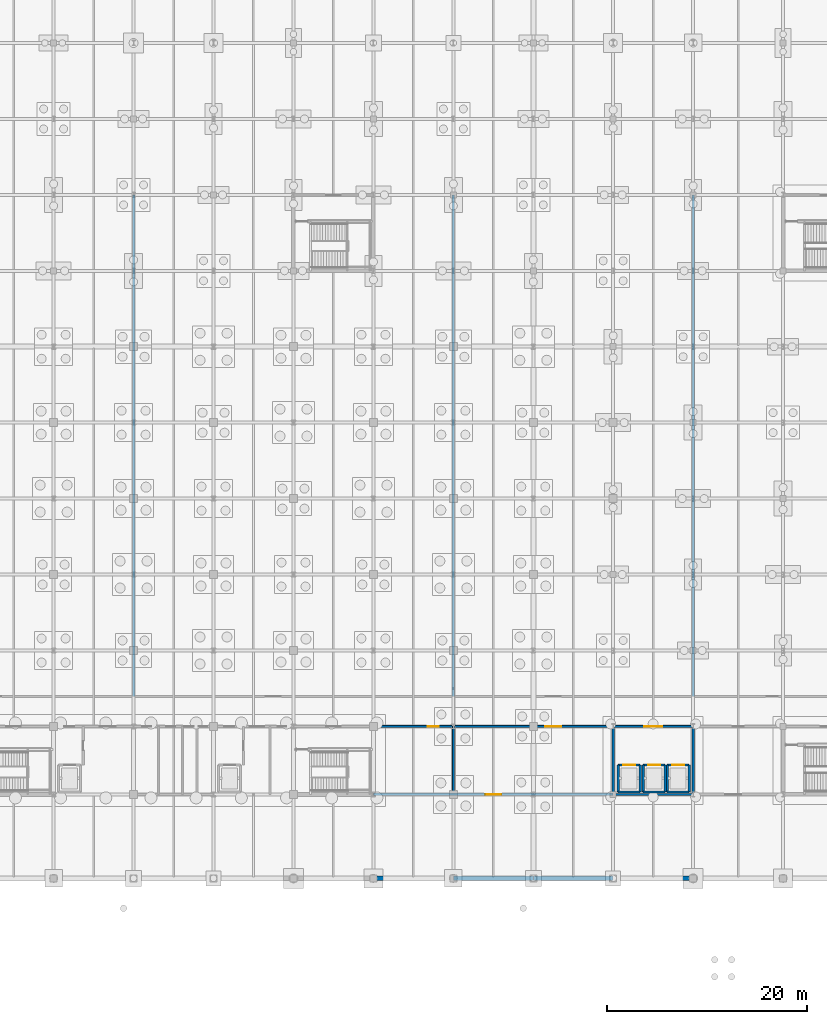
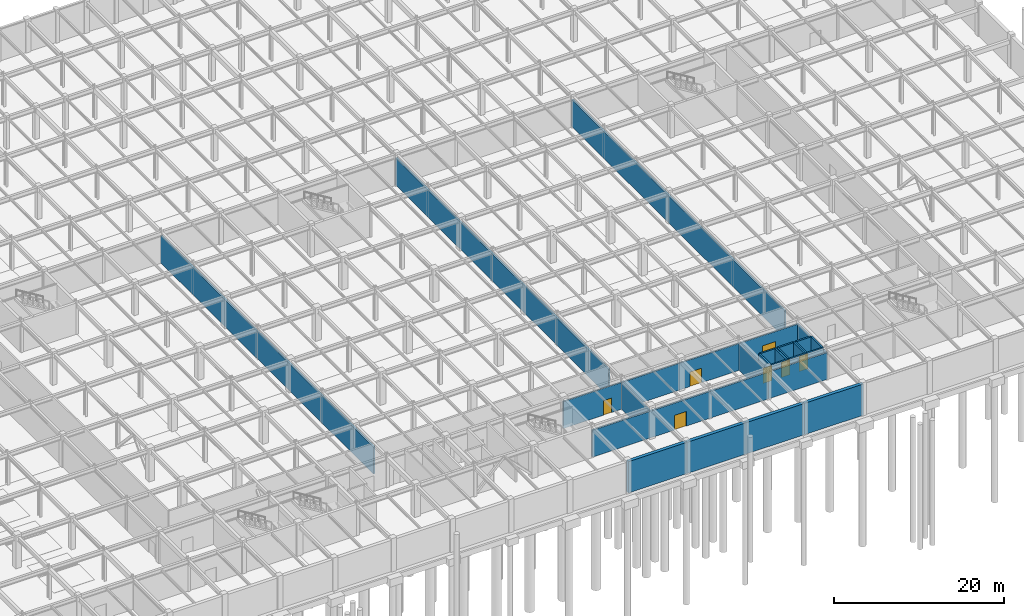
# One storey, part 42 of 53: 26 walls, 7 doors, 7 openings.
"""IFC4 building model written with IfcOpenShell, lengths in metres."""

from ifc_helpers import new_model, si_unit, direction, frame, frame_2d, origin, place, context, subcontext, project, spatial, rectangle, extrude, material, layer, layer_set, type_object, element, fill, save


model = new_model("IFC4")

# Units and contexts
model_context = context("Model", 3, precision=1e-05, world=origin(), true_north=direction((0.0, 1.0)))
body_context = subcontext(model_context, "Body", "Model", "MODEL_VIEW")
ifc_project = project(units=[si_unit("LENGTHUNIT", "METRE"), si_unit("AREAUNIT", "SQUARE_METRE"), si_unit("VOLUMEUNIT", "CUBIC_METRE"), si_unit("PLANEANGLEUNIT", "RADIAN"), si_unit("MASSUNIT", "GRAM", prefix="KILO")], contexts=[model_context])

# Site, building, storey
site_placement = place(None, origin())
site = spatial("IfcSite", under=ifc_project, at=site_placement, CompositionType="ELEMENT")
building_placement = place(site_placement, origin())
building = spatial("IfcBuilding", under=site, at=building_placement, Name="Shalkamar Park Central Library", CompositionType="ELEMENT")
storey_placement = place(building_placement, frame((0.0, 0.0, -4.800048828125)))
storey = spatial("IfcBuildingStorey", under=building, at=storey_placement, Name="B1", CompositionType="ELEMENT", Elevation=-4.800048828125)

# Walls
ifc_material_1 = material(Name="Concrete C40/50", Category="concrete")
ifc_layer_1 = layer(ifc_material_1, 0.449951171875)
ifc_layer_set_1 = layer_set([ifc_layer_1], Name="Concrete C40/50")
wall_type_1 = type_object("IfcWallType", Name="Basement Retaining Shear Wall 450", PredefinedType="SHEAR", material=ifc_layer_set_1)
for number, where, z_axis, x_axis, name in (
    (1, (205.0, 240.0, 0.0), (0.0, 0.0, 1.0), (1.0, 0.0, 0.0), "Basement Retaining Wall S-12"),
    (2, (213.0, 240.0, 0.0), (0.0, 0.0, 1.0), (1.0, 0.0, 0.0), "Basement Retaining Wall S-13"),
    (3, (221.0, 240.0, 0.0), (0.0, 0.0, 1.0), (1.0, 0.0, 0.0), "Basement Retaining Wall S-14"),
    (4, (229.0, 240.0, 0.0), (0.0, 0.0, 1.0), (1.0, 0.0, 0.0), "Basement Retaining Wall S-15"),
):
    element("IfcWall", number, at=place(storey_placement, frame(where, z_axis=z_axis, x_axis=x_axis)), inside=storey, type_object=wall_type_1, Name=name, PredefinedType="SHEAR", context=body_context, shape_type="SweptSolid", body=[
        extrude(rectangle(XDim=8.0, YDim=0.449951171875, at=frame_2d((4.0, 0.0))), origin(), (0.0, 0.0, 1.0), 4.510009765625),
    ])

# Wall, opening, door
ifc_material_2 = material(Name="Reinforced fire-compartment masonry wall", Category="masonry")
ifc_layer_2 = layer(ifc_material_2, 0.239990234375)
ifc_layer_set_2 = layer_set([ifc_layer_2], Name="CompartmentWall_240")
wall_type_2 = type_object("IfcWallType", Name="Compartment Wall 240", PredefinedType="PARTITIONING", material=ifc_layer_set_2)
wall_1_placement = place(storey_placement, frame((205.0, 248.39990234375, 0.0), z_axis=(0.0, 0.0, 1.0), x_axis=(1.0, 0.0, 0.0)))
wall_1 = element("IfcWall", 5, at=wall_1_placement, inside=storey, type_object=wall_type_2, Name="Interior Partition WL-INT-B1-020", PredefinedType="PARTITIONING", context=body_context, shape_type="SweptSolid", body=[
    extrude(rectangle(XDim=24.0, YDim=0.239990234375, at=frame_2d((12.0, 0.0))), origin(), (0.0, 0.0, 1.0), 3.858154296875),
])
opening_1_placement = place(wall_1_placement, frame((11.199951171875, 0.0, 0.0)))
opening_1 = element("IfcOpeningElement", 6, at=opening_1_placement, cuts=wall_1, Name="Opening DR-B1-017", PredefinedType="OPENING", context=body_context, shape_type="SweptSolid", body=[
    extrude(rectangle(XDim=1.60009765625, YDim=2.10009765625, at=frame_2d((0.800048828125, 1.050048828125))), frame((0.0, 0.134765625, 0.0), z_axis=(0.0, -1.0, 0.0), x_axis=(1.0, 0.0, 0.0)), (0.0, 0.0, 1.0), 0.269775390625),
])
ifc_material_3 = material(Name="Steel S355", Category="steel")
door_type_1 = type_object("IfcDoorType", Name="Fire Door Double 1600x2100", OperationType="DOUBLE_DOOR_SINGLE_SWING", PredefinedType="DOOR", material=ifc_material_3)
door_1_placement = place(opening_1_placement, frame((1.60009765625, 0.0, 0.0), z_axis=(0.0, 0.0, 1.0), x_axis=(-1.0, 0.0, 0.0)))
door_1 = element("IfcDoor", 7, at=door_1_placement, inside=storey, type_object=door_type_1, Name="Chiller Plant Door", OperationType="DOUBLE_DOOR_SINGLE_SWING", OverallHeight=2.10009765625, OverallWidth=1.60009765625, PredefinedType="DOOR", context=body_context, shape_type="SweptSolid", body=[
    extrude(rectangle(XDim=1.60009765625, YDim=2.10009765625, at=frame_2d((0.800048828125, 1.050048828125))), frame((0.0, 0.02490234375, 0.0), z_axis=(0.0, -1.0, 0.0), x_axis=(1.0, 0.0, 0.0)), (0.0, 0.0, 1.0), 0.050048828125),
])
fill(opening_1, door_1)

# Walls
for number, where, z_axis, x_axis, name in (
    (8, (181.0, 258.199951171875, 0.0), (0.0, 0.0, 1.0), (0.0, 1.0, 0.0), "Interior Partition WL-INT-B1-031"),
    (9, (213.0, 258.199951171875, 0.0), (0.0, 0.0, 1.0), (0.0, 1.0, 0.0), "Interior Partition WL-INT-B1-032"),
    (10, (237.0, 258.199951171875, 0.0), (0.0, 0.0, 1.0), (0.0, 1.0, 0.0), "Interior Partition WL-INT-B1-033"),
):
    element("IfcWall", number, at=place(storey_placement, frame(where, z_axis=z_axis, x_axis=x_axis)), inside=storey, type_object=wall_type_2, Name=name, PredefinedType="PARTITIONING", context=body_context, shape_type="SweptSolid", body=[
        extrude(rectangle(XDim=50.199951171875, YDim=0.239990234375, at=frame_2d((25.10009765625, 0.0))), origin(), (0.0, 0.0, 1.0), 3.907958984375),
    ])

# Wall, opening, door
ifc_material_4 = material(Name="Fire-rated corridor partition wall", Category="masonry")
ifc_layer_3 = layer(ifc_material_4, 0.199951171875)
ifc_layer_set_3 = layer_set([ifc_layer_3], Name="CorridorFireWall_200")
wall_type_3 = type_object("IfcWallType", Name="Corridor Fire Wall 200", PredefinedType="PARTITIONING", material=ifc_layer_set_3)
wall_2_placement = place(storey_placement, frame((229.0, 255.199951171875, 0.0), z_axis=(0.0, 0.0, 1.0), x_axis=(1.0, 0.0, 0.0)))
wall_2 = element("IfcWall", 11, at=wall_2_placement, inside=storey, type_object=wall_type_3, Name="Interior Partition WL-INT-B1-014", PredefinedType="PARTITIONING", context=body_context, shape_type="SweptSolid", body=[
    extrude(rectangle(XDim=8.0, YDim=0.199951171875, at=frame_2d((4.0, 0.0))), origin(), (0.0, 0.0, 1.0), 3.858154296875),
])
opening_2_placement = place(wall_2_placement, frame((3.10009765625, 0.0, 0.0)))
opening_2 = element("IfcOpeningElement", 12, at=opening_2_placement, cuts=wall_2, Name="Opening DR-B1-012", PredefinedType="OPENING", context=body_context, shape_type="SweptSolid", body=[
    extrude(rectangle(XDim=1.800048828125, YDim=2.39990234375, at=frame_2d((0.89990234375, 1.199951171875))), frame((0.0, 0.11474609375, 0.0), z_axis=(0.0, -1.0, 0.0), x_axis=(1.0, 0.0, 0.0)), (0.0, 0.0, 1.0), 0.229736328125),
])
door_type_2 = type_object("IfcDoorType", Name="Interior Door Double 1800x2400", OperationType="DOUBLE_DOOR_SINGLE_SWING", PredefinedType="DOOR", material=ifc_material_3)
door_2_placement = place(opening_2_placement, origin())
door_2 = element("IfcDoor", 13, at=door_2_placement, inside=storey, type_object=door_type_2, Name="Podium Lift Lobby Entrance", OperationType="DOUBLE_DOOR_SINGLE_SWING", OverallHeight=2.39990234375, OverallWidth=1.800048828125, PredefinedType="DOOR", context=body_context, shape_type="SweptSolid", body=[
    extrude(rectangle(XDim=1.800048828125, YDim=2.39990234375, at=frame_2d((0.89990234375, 1.199951171875))), frame((0.0, 0.02490234375, 0.0), z_axis=(0.0, -1.0, 0.0), x_axis=(1.0, 0.0, 0.0)), (0.0, 0.0, 1.0), 0.050048828125),
])
fill(opening_2, door_2)

# Wall, openings, doors
wall_3_placement = place(storey_placement, frame((205.0, 255.199951171875, 0.0), z_axis=(0.0, 0.0, 1.0), x_axis=(1.0, 0.0, 0.0)))
wall_3 = element("IfcWall", 14, at=wall_3_placement, inside=storey, type_object=wall_type_3, Name="Interior Partition WL-INT-B1-024", PredefinedType="PARTITIONING", context=body_context, shape_type="SweptSolid", body=[
    extrude(rectangle(XDim=24.0, YDim=0.199951171875, at=frame_2d((12.0, 0.0))), origin(), (0.0, 0.0, 1.0), 3.858154296875),
])
opening_3_placement = place(wall_3_placement, frame((5.449951171875, 0.0, 0.0)))
opening_3 = element("IfcOpeningElement", 15, at=opening_3_placement, cuts=wall_3, Name="Opening DR-B1-021", PredefinedType="OPENING", context=body_context, shape_type="SweptSolid", body=[
    extrude(rectangle(XDim=1.10009765625, YDim=2.10009765625, at=frame_2d((0.550048828125, 1.050048828125))), frame((0.0, 0.11474609375, 0.0), z_axis=(0.0, -1.0, 0.0), x_axis=(1.0, 0.0, 0.0)), (0.0, 0.0, 1.0), 0.229736328125),
])
opening_4_placement = place(wall_3_placement, frame((17.199951171875, 0.0, 0.0)))
opening_4 = element("IfcOpeningElement", 16, at=opening_4_placement, cuts=wall_3, Name="Opening DR-B1-022", PredefinedType="OPENING", context=body_context, shape_type="SweptSolid", body=[
    extrude(rectangle(XDim=1.60009765625, YDim=2.10009765625, at=frame_2d((0.800048828125, 1.050048828125))), frame((0.0, 0.11474609375, 0.0), z_axis=(0.0, -1.0, 0.0), x_axis=(1.0, 0.0, 0.0)), (0.0, 0.0, 1.0), 0.229736328125),
])
door_3_placement = place(opening_4_placement, frame((1.60009765625, 0.0, 0.0), z_axis=(0.0, 0.0, 1.0), x_axis=(-1.0, 0.0, 0.0)))
door_3 = element("IfcDoor", 17, at=door_3_placement, inside=storey, type_object=door_type_1, Name="Book Sorting Hall Door", OperationType="DOUBLE_DOOR_SINGLE_SWING", OverallHeight=2.10009765625, OverallWidth=1.60009765625, PredefinedType="DOOR", context=body_context, shape_type="SweptSolid", body=[
    extrude(rectangle(XDim=1.60009765625, YDim=2.10009765625, at=frame_2d((0.800048828125, 1.050048828125))), frame((0.0, 0.02490234375, 0.0), z_axis=(0.0, -1.0, 0.0), x_axis=(1.0, 0.0, 0.0)), (0.0, 0.0, 1.0), 0.050048828125),
])
fill(opening_4, door_3)
door_type_3 = type_object("IfcDoorType", Name="Fire Door Single 1100x2100", OperationType="NOTDEFINED", PredefinedType="DOOR", material=ifc_material_3)
door_4_placement = place(opening_3_placement, frame((1.10009765625, 0.0, 0.0), z_axis=(0.0, 0.0, 1.0), x_axis=(-1.0, 0.0, 0.0)))
door_4 = element("IfcDoor", 18, at=door_4_placement, inside=storey, type_object=door_type_3, Name="Book Quarantine Room Door", OperationType="SINGLE_SWING_RIGHT", OverallHeight=2.10009765625, OverallWidth=1.10009765625, PredefinedType="DOOR", context=body_context, shape_type="SweptSolid", body=[
    extrude(rectangle(XDim=1.10009765625, YDim=2.10009765625, at=frame_2d((0.550048828125, 1.050048828125))), frame((0.0, 0.02490234375, 0.0), z_axis=(0.0, -1.0, 0.0), x_axis=(1.0, 0.0, 0.0)), (0.0, 0.0, 1.0), 0.050048828125),
])
fill(opening_3, door_4)

# Walls
wall_4_placement = place(storey_placement, frame((213.0, 248.39990234375, 0.0), z_axis=(0.0, 0.0, 1.0), x_axis=(0.0, 1.0, 0.0)))
element("IfcWall", 19, at=wall_4_placement, inside=storey, type_object=wall_type_3, Name="Interior Partition WL-INT-B1-025", PredefinedType="PARTITIONING", context=body_context, shape_type="SweptSolid", body=[
    extrude(rectangle(XDim=6.800048828125, YDim=0.199951171875, at=frame_2d((3.39990234375, 0.0))), origin(), (0.0, 0.0, 1.0), 3.80810546875),
])
ifc_layer_4 = layer(ifc_material_1, 0.219970703125)
ifc_layer_set_4 = layer_set([ifc_layer_4], Name="Concrete C40/50")
wall_type_4 = type_object("IfcWallType", Name="Lift Hoistway Shear Wall 220", PredefinedType="SHEAR", material=ifc_layer_set_4)
wall_5_placement = place(storey_placement, frame((229.5, 248.64990234375, 0.0), z_axis=(0.0, 0.0, 1.0), x_axis=(1.0, 0.0, 0.0)))
element("IfcWall", 20, at=wall_5_placement, inside=storey, type_object=wall_type_4, Name="Lift LP-01 Hoistway South Wall (B1)", PredefinedType="SHEAR", context=body_context, shape_type="SweptSolid", body=[
    extrude(rectangle(XDim=2.199951171875, YDim=0.219970703125, at=frame_2d((1.10009765625, 0.0))), origin(), (0.0, 0.0, 1.0), 4.510009765625),
])
for number, where, z_axis, x_axis, name in (
    (21, (229.5, 248.64990234375, 0.0), (0.0, 0.0, 1.0), (0.0, 1.0, 0.0), "Lift LP-01 Hoistway West Wall (B1)"),
    (22, (231.699951171875, 248.64990234375, 0.0), (0.0, 0.0, 1.0), (0.0, 1.0, 0.0), "Lift LP-01 Hoistway East Wall (B1)"),
):
    element("IfcWall", number, at=place(storey_placement, frame(where, z_axis=z_axis, x_axis=x_axis)), inside=storey, type_object=wall_type_4, Name=name, PredefinedType="SHEAR", context=body_context, shape_type="SweptSolid", body=[
        extrude(rectangle(XDim=2.7001953125, YDim=0.219970703125, at=frame_2d((1.35009765625, 0.0))), origin(), (0.0, 0.0, 1.0), 4.510009765625),
    ])

# Wall, opening, door
wall_6_placement = place(storey_placement, frame((229.5, 251.35009765625, 0.0), z_axis=(0.0, 0.0, 1.0), x_axis=(1.0, 0.0, 0.0)))
wall_6 = element("IfcWall", 23, at=wall_6_placement, inside=storey, type_object=wall_type_4, Name="Lift LP-01 Hoistway Front Wall (B1)", PredefinedType="SHEAR", context=body_context, shape_type="SweptSolid", body=[
    extrude(rectangle(XDim=2.199951171875, YDim=0.219970703125, at=frame_2d((1.10009765625, 0.0))), origin(), (0.0, 0.0, 1.0), 4.510009765625),
])
opening_5_placement = place(wall_6_placement, frame((0.5, 0.0, 0.0)))
opening_5 = element("IfcOpeningElement", 24, at=opening_5_placement, cuts=wall_6, Name="Opening LD-LP-01-B1", PredefinedType="OPENING", context=body_context, shape_type="SweptSolid", body=[
    extrude(rectangle(XDim=1.199951171875, YDim=2.199951171875, at=frame_2d((0.60009765625, 1.10009765625))), frame((0.0, 0.125, 0.0), z_axis=(0.0, -1.0, 0.0), x_axis=(1.0, 0.0, 0.0)), (0.0, 0.0, 1.0), 0.249755859375),
])
door_type_4 = type_object("IfcDoorType", Name="Podium Lift Landing Door 1200x2200", OperationType="DOUBLE_DOOR_SLIDING", PredefinedType="USERDEFINED", material=ifc_material_3)
door_5_placement = place(opening_5_placement, origin())
door_5 = element("IfcDoor", 25, at=door_5_placement, inside=storey, type_object=door_type_4, Name="Lift LP-01 Sliding Landing Door (B1)", ObjectType="SLIDING LANDING DOOR", OperationType="DOUBLE_DOOR_SLIDING", OverallHeight=2.199951171875, OverallWidth=1.199951171875, PredefinedType="USERDEFINED", context=body_context, shape_type="SweptSolid", body=[
    extrude(rectangle(XDim=1.199951171875, YDim=2.199951171875, at=frame_2d((0.60009765625, 1.10009765625))), frame((0.0, 0.02490234375, 0.0), z_axis=(0.0, -1.0, 0.0), x_axis=(1.0, 0.0, 0.0)), (0.0, 0.0, 1.0), 0.050048828125),
])
fill(opening_5, door_5)

# Walls
wall_7_placement = place(storey_placement, frame((232.0, 248.64990234375, 0.0), z_axis=(0.0, 0.0, 1.0), x_axis=(1.0, 0.0, 0.0)))
element("IfcWall", 26, at=wall_7_placement, inside=storey, type_object=wall_type_4, Name="Lift LP-02 Hoistway South Wall (B1)", PredefinedType="SHEAR", context=body_context, shape_type="SweptSolid", body=[
    extrude(rectangle(XDim=2.199951171875, YDim=0.219970703125, at=frame_2d((1.10009765625, 0.0))), origin(), (0.0, 0.0, 1.0), 4.510009765625),
])
for number, where, z_axis, x_axis, name in (
    (27, (232.0, 248.64990234375, 0.0), (0.0, 0.0, 1.0), (0.0, 1.0, 0.0), "Lift LP-02 Hoistway West Wall (B1)"),
    (28, (234.199951171875, 248.64990234375, 0.0), (0.0, 0.0, 1.0), (0.0, 1.0, 0.0), "Lift LP-02 Hoistway East Wall (B1)"),
):
    element("IfcWall", number, at=place(storey_placement, frame(where, z_axis=z_axis, x_axis=x_axis)), inside=storey, type_object=wall_type_4, Name=name, PredefinedType="SHEAR", context=body_context, shape_type="SweptSolid", body=[
        extrude(rectangle(XDim=2.7001953125, YDim=0.219970703125, at=frame_2d((1.35009765625, 0.0))), origin(), (0.0, 0.0, 1.0), 4.510009765625),
    ])

# Wall, opening, door
wall_8_placement = place(storey_placement, frame((232.0, 251.35009765625, 0.0), z_axis=(0.0, 0.0, 1.0), x_axis=(1.0, 0.0, 0.0)))
wall_8 = element("IfcWall", 29, at=wall_8_placement, inside=storey, type_object=wall_type_4, Name="Lift LP-02 Hoistway Front Wall (B1)", PredefinedType="SHEAR", context=body_context, shape_type="SweptSolid", body=[
    extrude(rectangle(XDim=2.199951171875, YDim=0.219970703125, at=frame_2d((1.10009765625, 0.0))), origin(), (0.0, 0.0, 1.0), 4.510009765625),
])
opening_6_placement = place(wall_8_placement, frame((0.5, 0.0, 0.0)))
opening_6 = element("IfcOpeningElement", 30, at=opening_6_placement, cuts=wall_8, Name="Opening LD-LP-02-B1", PredefinedType="OPENING", context=body_context, shape_type="SweptSolid", body=[
    extrude(rectangle(XDim=1.199951171875, YDim=2.199951171875, at=frame_2d((0.60009765625, 1.10009765625))), frame((0.0, 0.125, 0.0), z_axis=(0.0, -1.0, 0.0), x_axis=(1.0, 0.0, 0.0)), (0.0, 0.0, 1.0), 0.249755859375),
])
door_6_placement = place(opening_6_placement, origin())
door_6 = element("IfcDoor", 31, at=door_6_placement, inside=storey, type_object=door_type_4, Name="Lift LP-02 Sliding Landing Door (B1)", ObjectType="SLIDING LANDING DOOR", OperationType="DOUBLE_DOOR_SLIDING", OverallHeight=2.199951171875, OverallWidth=1.199951171875, PredefinedType="USERDEFINED", context=body_context, shape_type="SweptSolid", body=[
    extrude(rectangle(XDim=1.199951171875, YDim=2.199951171875, at=frame_2d((0.60009765625, 1.10009765625))), frame((0.0, 0.02490234375, 0.0), z_axis=(0.0, -1.0, 0.0), x_axis=(1.0, 0.0, 0.0)), (0.0, 0.0, 1.0), 0.050048828125),
])
fill(opening_6, door_6)

# Walls
wall_9_placement = place(storey_placement, frame((234.39990234375, 248.64990234375, 0.0), z_axis=(0.0, 0.0, 1.0), x_axis=(1.0, 0.0, 0.0)))
element("IfcWall", 32, at=wall_9_placement, inside=storey, type_object=wall_type_4, Name="Lift LP-03 Hoistway South Wall (B1)", PredefinedType="SHEAR", context=body_context, shape_type="SweptSolid", body=[
    extrude(rectangle(XDim=2.2001953125, YDim=0.219970703125, at=frame_2d((1.10009765625, 0.0))), origin(), (0.0, 0.0, 1.0), 4.510009765625),
])
for number, where, z_axis, x_axis, name in (
    (33, (234.39990234375, 248.64990234375, 0.0), (0.0, 0.0, 1.0), (0.0, 1.0, 0.0), "Lift LP-03 Hoistway West Wall (B1)"),
    (34, (236.60009765625, 248.64990234375, 0.0), (0.0, 0.0, 1.0), (0.0, 1.0, 0.0), "Lift LP-03 Hoistway East Wall (B1)"),
):
    element("IfcWall", number, at=place(storey_placement, frame(where, z_axis=z_axis, x_axis=x_axis)), inside=storey, type_object=wall_type_4, Name=name, PredefinedType="SHEAR", context=body_context, shape_type="SweptSolid", body=[
        extrude(rectangle(XDim=2.7001953125, YDim=0.219970703125, at=frame_2d((1.35009765625, 0.0))), origin(), (0.0, 0.0, 1.0), 4.510009765625),
    ])

# Wall, opening, door
wall_10_placement = place(storey_placement, frame((234.39990234375, 251.35009765625, 0.0), z_axis=(0.0, 0.0, 1.0), x_axis=(1.0, 0.0, 0.0)))
wall_10 = element("IfcWall", 35, at=wall_10_placement, inside=storey, type_object=wall_type_4, Name="Lift LP-03 Hoistway Front Wall (B1)", PredefinedType="SHEAR", context=body_context, shape_type="SweptSolid", body=[
    extrude(rectangle(XDim=2.2001953125, YDim=0.219970703125, at=frame_2d((1.10009765625, 0.0))), origin(), (0.0, 0.0, 1.0), 4.510009765625),
])
opening_7_placement = place(wall_10_placement, frame((0.5, 0.0, 0.0)))
opening_7 = element("IfcOpeningElement", 36, at=opening_7_placement, cuts=wall_10, Name="Opening LD-LP-03-B1", PredefinedType="OPENING", context=body_context, shape_type="SweptSolid", body=[
    extrude(rectangle(XDim=1.199951171875, YDim=2.199951171875, at=frame_2d((0.60009765625, 1.10009765625))), frame((0.0, 0.125, 0.0), z_axis=(0.0, -1.0, 0.0), x_axis=(1.0, 0.0, 0.0)), (0.0, 0.0, 1.0), 0.249755859375),
])
door_7_placement = place(opening_7_placement, origin())
door_7 = element("IfcDoor", 37, at=door_7_placement, inside=storey, type_object=door_type_4, Name="Lift LP-03 Sliding Landing Door (B1)", ObjectType="SLIDING LANDING DOOR", OperationType="DOUBLE_DOOR_SLIDING", OverallHeight=2.199951171875, OverallWidth=1.199951171875, PredefinedType="USERDEFINED", context=body_context, shape_type="SweptSolid", body=[
    extrude(rectangle(XDim=1.199951171875, YDim=2.199951171875, at=frame_2d((0.60009765625, 1.10009765625))), frame((0.0, 0.02490234375, 0.0), z_axis=(0.0, -1.0, 0.0), x_axis=(1.0, 0.0, 0.0)), (0.0, 0.0, 1.0), 0.050048828125),
])
fill(opening_7, door_7)

# Walls
ifc_material_5 = material(Name="Fire-rated shaft enclosure wall", Category="masonry")
ifc_layer_5 = layer(ifc_material_5, 0.219970703125)
ifc_layer_set_5 = layer_set([ifc_layer_5], Name="ShaftWall_220")
wall_type_5 = type_object("IfcWallType", Name="Shaft Wall 220", PredefinedType="PARTITIONING", material=ifc_layer_set_5)
for number, where, z_axis, x_axis, name in (
    (38, (229.0, 248.39990234375, 0.0), (0.0, 0.0, 1.0), (0.0, 1.0, 0.0), "Interior Partition WL-INT-B1-011"),
    (39, (237.0, 248.39990234375, 0.0), (0.0, 0.0, 1.0), (0.0, 1.0, 0.0), "Interior Partition WL-INT-B1-012"),
):
    element("IfcWall", number, at=place(storey_placement, frame(where, z_axis=z_axis, x_axis=x_axis)), inside=storey, type_object=wall_type_5, Name=name, PredefinedType="PARTITIONING", context=body_context, shape_type="SweptSolid", body=[
        extrude(rectangle(XDim=6.800048828125, YDim=0.219970703125, at=frame_2d((3.39990234375, 0.0))), origin(), (0.0, 0.0, 1.0), 3.80810546875),
    ])
wall_11_placement = place(storey_placement, frame((229.0, 248.39990234375, 0.0), z_axis=(0.0, 0.0, 1.0), x_axis=(1.0, 0.0, 0.0)))
element("IfcWall", 40, at=wall_11_placement, inside=storey, type_object=wall_type_5, Name="Interior Partition WL-INT-B1-013", PredefinedType="PARTITIONING", context=body_context, shape_type="SweptSolid", body=[
    extrude(rectangle(XDim=8.0, YDim=0.219970703125, at=frame_2d((4.0, 0.0))), origin(), (0.0, 0.0, 1.0), 3.858154296875),
])

save(model, "model.ifc")
